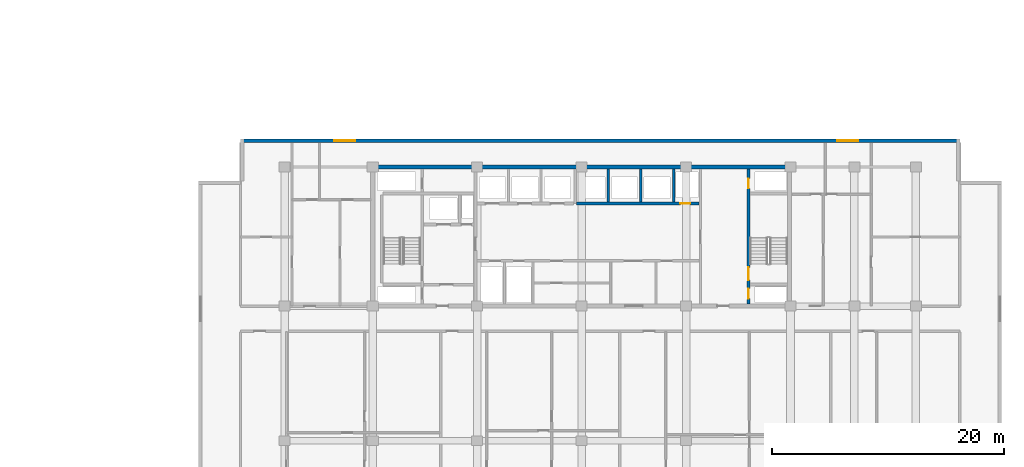
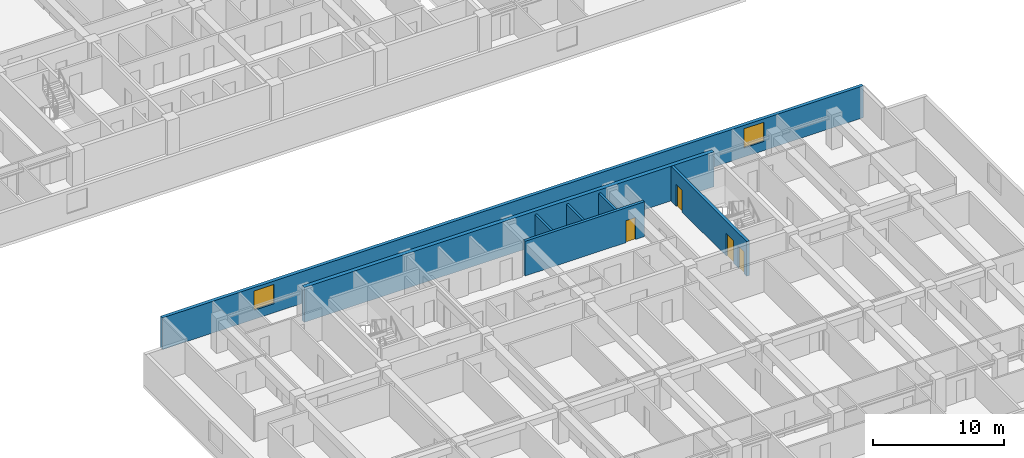
# One storey, part 7 of 23: 7 walls, 4 doors, 2 windows, 6 openings.
"""IFC4 building model written with IfcOpenShell, lengths in metres."""

from ifc_helpers import new_model, si_unit, direction, frame, frame_2d, origin, place, context, subcontext, project, spatial, rectangle, extrude, material, layer, layer_set, type_object, element, fill, save


model = new_model("IFC4")

# Units and contexts
model_context = context("Model", 3, precision=1e-05, world=origin(), true_north=direction((0.0, 1.0)))
body_context = subcontext(model_context, "Body", "Model", "MODEL_VIEW")
ifc_project = project(units=[si_unit("LENGTHUNIT", "METRE"), si_unit("AREAUNIT", "SQUARE_METRE"), si_unit("VOLUMEUNIT", "CUBIC_METRE"), si_unit("PLANEANGLEUNIT", "RADIAN"), si_unit("MASSUNIT", "GRAM", prefix="KILO")], contexts=[model_context])

# Site, building, storey
site_placement = place(None, origin())
site = spatial("IfcSite", under=ifc_project, at=site_placement, CompositionType="ELEMENT")
building_placement = place(site_placement, origin())
building = spatial("IfcBuilding", under=site, at=building_placement, Name="Korimba Cascade Residences", CompositionType="ELEMENT")
storey_placement = place(building_placement, frame((0.0, 0.0, 50.0)))
storey = spatial("IfcBuildingStorey", under=building, at=storey_placement, Name="L13", CompositionType="ELEMENT", Elevation=50.0)

# Wall, openings, windows
ifc_material_1 = material(Name="Precast concrete C40/50", Category="concrete")
ifc_layer_1 = layer(ifc_material_1, 0.300048828125)
ifc_layer_set_1 = layer_set([ifc_layer_1], Name="Precast concrete C40/50")
wall_type_1 = type_object("IfcWallType", Name="EW-STONE-300", PredefinedType="STANDARD", material=ifc_layer_set_1)
wall_1_placement = place(storey_placement, frame((132.699951171875, 32.64990234375, 0.0), z_axis=(0.0, 0.0, 1.0), x_axis=(-1.0, 0.0, 0.0)))
wall_1 = element("IfcWall", 1, at=wall_1_placement, inside=storey, type_object=wall_type_1, Name="L13 T2 Perimeter Stone Wall E06", PredefinedType="STANDARD", context=body_context, shape_type="SweptSolid", body=[
    extrude(rectangle(XDim=62.0, YDim=0.300048828125, at=frame_2d((31.0, 0.0))), origin(), (0.0, 0.0, 1.0), 2.969970703125),
])
opening_1_placement = place(wall_1_placement, frame((52.125, 0.0, 0.85009765625)))
opening_1 = element("IfcOpeningElement", 2, at=opening_1_placement, cuts=wall_1, Name="Opening W-02", PredefinedType="OPENING", context=body_context, shape_type="SweptSolid", body=[
    extrude(rectangle(XDim=1.800048828125, YDim=1.800048828125, at=frame_2d((0.89990234375, 0.89990234375))), frame((0.0, 0.16015625, 0.0), z_axis=(0.0, -1.0, 0.0), x_axis=(1.0, 0.0, 0.0)), (0.0, 0.0, 1.0), 0.320068359375),
])
opening_2_placement = place(wall_1_placement, frame((8.77490234375, 0.0, 0.85009765625)))
opening_2 = element("IfcOpeningElement", 3, at=opening_2_placement, cuts=wall_1, Name="Opening W-02", PredefinedType="OPENING", context=body_context, shape_type="SweptSolid", body=[
    extrude(rectangle(XDim=1.800048828125, YDim=1.800048828125, at=frame_2d((0.89990234375, 0.89990234375))), frame((0.0, 0.16015625, 0.0), z_axis=(0.0, -1.0, 0.0), x_axis=(1.0, 0.0, 0.0)), (0.0, 0.0, 1.0), 0.320068359375),
])
ifc_material_2 = material(Name="Double-Glazed Aluminium Window", Category="aluminium")
window_type = type_object("IfcWindowType", Name="WIN-BED-1800", PartitioningType="SINGLE_PANEL", PredefinedType="WINDOW", material=ifc_material_2)
window_1_placement = place(opening_1_placement, origin())
window_1 = element("IfcWindow", 4, at=window_1_placement, inside=storey, type_object=window_type, Name="L13 T2 North Corner Bedroom Window 1", OverallHeight=1.800048828125, OverallWidth=1.800048828125, PartitioningType="SINGLE_PANEL", PredefinedType="WINDOW", context=body_context, shape_type="SweptSolid", body=[
    extrude(rectangle(XDim=1.800048828125, YDim=1.800048828125, at=frame_2d((0.89990234375, 0.89990234375))), frame((0.0, 0.030029296875, 0.0), z_axis=(0.0, -1.0, 0.0), x_axis=(1.0, 0.0, 0.0)), (0.0, 0.0, 1.0), 0.06005859375),
])
fill(opening_1, window_1)
window_2_placement = place(opening_2_placement, origin())
window_2 = element("IfcWindow", 5, at=window_2_placement, inside=storey, type_object=window_type, Name="L13 T2 North Corner Bedroom Window 2", OverallHeight=1.800048828125, OverallWidth=1.800048828125, PartitioningType="SINGLE_PANEL", PredefinedType="WINDOW", context=body_context, shape_type="SweptSolid", body=[
    extrude(rectangle(XDim=1.800048828125, YDim=1.800048828125, at=frame_2d((0.89990234375, 0.89990234375))), frame((0.0, 0.030029296875, 0.0), z_axis=(0.0, -1.0, 0.0), x_axis=(1.0, 0.0, 0.0)), (0.0, 0.0, 1.0), 0.06005859375),
])
fill(opening_2, window_2)

# Walls
ifc_material_3 = material(Name="Concrete C65/80", Category="concrete")
ifc_layer_2 = layer(ifc_material_3, 0.35009765625)
ifc_layer_set_2 = layer_set([ifc_layer_2], Name="Concrete C65/80")
wall_type_2 = type_object("IfcWallType", Name="WAL-CORE-350", PredefinedType="SHEAR", material=ifc_layer_set_2)
wall_2_placement = place(storey_placement, frame((81.925048828125, 30.39990234375, 0.0), z_axis=(0.0, 0.0, 1.0), x_axis=(1.0, 0.0, 0.0)))
element("IfcWall", 6, at=wall_2_placement, inside=storey, type_object=wall_type_2, Name="L13 Core Shear Wall CW-L13-T2-N", PredefinedType="SHEAR", context=body_context, shape_type="SweptSolid", body=[
    extrude(rectangle(XDim=36.264892578125, YDim=0.35009765625, at=frame_2d((18.13232421875, 0.0))), origin(), (0.0, 0.0, 1.0), 3.25),
])
ifc_material_4 = material(Name="Concrete C40/50", Category="concrete")
ifc_layer_3 = layer(ifc_material_4, 0.199951171875)
ifc_layer_set_3 = layer_set([ifc_layer_3], Name="Concrete C40/50")
wall_type_3 = type_object("IfcWallType", Name="WAL-PART-200", PredefinedType="PARTITIONING", material=ifc_layer_set_3)
for number, where, z_axis, x_axis, name in (
    (7, (102.39990234375, 27.3798828125, 0.0), (0.0, 0.0, 1.0), (0.0, 1.0, 0.0), "L13 Partition Wall CW-L13-T2-B2D1"),
    (8, (105.199951171875, 27.3798828125, 0.0), (0.0, 0.0, 1.0), (0.0, 1.0, 0.0), "L13 Partition Wall CW-L13-T2-B2D2"),
    (9, (108.050048828125, 27.3798828125, 0.0), (0.0, 0.0, 1.0), (0.0, 1.0, 0.0), "L13 Partition Wall CW-L13-T2-B2D3"),
):
    element("IfcWall", number, at=place(storey_placement, frame(where, z_axis=z_axis, x_axis=x_axis)), inside=storey, type_object=wall_type_3, Name=name, PredefinedType="PARTITIONING", context=body_context, shape_type="SweptSolid", body=[
        extrude(rectangle(XDim=2.820068359375, YDim=0.199951171875, at=frame_2d((1.41015625, 0.0))), origin(), (0.0, 0.0, 1.0), 2.969970703125),
    ])

# Wall, opening, door
ifc_material_5 = material(Name="Concrete C50/60", Category="concrete")
ifc_layer_4 = layer(ifc_material_5, 0.25)
ifc_layer_set_4 = layer_set([ifc_layer_4], Name="Concrete C50/60")
wall_type_4 = type_object("IfcWallType", Name="WAL-SHAFT-250", PredefinedType="SHEAR", material=ifc_layer_set_4)
wall_3_placement = place(storey_placement, frame((99.679931640625, 27.25, 0.0), z_axis=(0.0, 0.0, 1.0), x_axis=(1.0, 0.0, 0.0)))
wall_3 = element("IfcWall", 10, at=wall_3_placement, inside=storey, type_object=wall_type_4, Name="L13 Core Shear Wall CW-L13-T2-B2S", PredefinedType="SHEAR", context=body_context, shape_type="SweptSolid", body=[
    extrude(rectangle(XDim=10.5400390625, YDim=0.25, at=frame_2d((5.27001953125, 0.0))), origin(), (0.0, 0.0, 1.0), 3.25),
])
opening_3_placement = place(wall_3_placement, frame((8.919921875, 0.0, 0.0)))
opening_3 = element("IfcOpeningElement", 11, at=opening_3_placement, cuts=wall_3, Name="Opening D-RS1", PredefinedType="OPENING", context=body_context, shape_type="SweptSolid", body=[
    extrude(rectangle(XDim=0.85009765625, YDim=2.050048828125, at=frame_2d((0.425048828125, 1.02490234375))), frame((0.0, 0.135009765625, 0.0), z_axis=(0.0, -1.0, 0.0), x_axis=(1.0, 0.0, 0.0)), (0.0, 0.0, 1.0), 0.27001953125),
])
ifc_material_6 = material(Name="Fire-Rated Steel Riser Access Door", Category="steel")
door_type_1 = type_object("IfcDoorType", Name="DR-FD60-850", OperationType="NOTDEFINED", PredefinedType="DOOR", material=ifc_material_6)
door_1_placement = place(opening_3_placement, origin())
door_1 = element("IfcDoor", 12, at=door_1_placement, inside=storey, type_object=door_type_1, Name="L13 T2 Duct Door", OperationType="SINGLE_SWING_RIGHT", OverallHeight=2.050048828125, OverallWidth=0.85009765625, PredefinedType="DOOR", context=body_context, shape_type="SweptSolid", body=[
    extrude(rectangle(XDim=0.85009765625, YDim=2.050048828125, at=frame_2d((0.425048828125, 1.02490234375))), frame((0.0, 0.02490234375, 0.0), z_axis=(0.0, -1.0, 0.0), x_axis=(1.0, 0.0, 0.0)), (0.0, 0.0, 1.0), 0.050048828125),
])
fill(opening_3, door_1)

# Wall, openings, doors
wall_4_placement = place(storey_placement, frame((114.47509765625, 18.60009765625, 0.0), z_axis=(0.0, 0.0, 1.0), x_axis=(0.0, 1.0, 0.0)))
wall_4 = element("IfcWall", 13, at=wall_4_placement, inside=storey, type_object=wall_type_4, Name="L13 Core Shear Wall CW-L13-T2-STE2W", PredefinedType="SHEAR", context=body_context, shape_type="SweptSolid", body=[
    extrude(rectangle(XDim=11.599853515625, YDim=0.25, at=frame_2d((5.7998046875, 0.0))), origin(), (0.0, 0.0, 1.0), 3.25),
])
opening_4_placement = place(wall_4_placement, frame((0.449951171875, 0.0, 0.0)))
opening_4 = element("IfcOpeningElement", 14, at=opening_4_placement, cuts=wall_4, Name="Opening D-RS1", PredefinedType="OPENING", context=body_context, shape_type="SweptSolid", body=[
    extrude(rectangle(XDim=0.85009765625, YDim=2.050048828125, at=frame_2d((0.425048828125, 1.02490234375))), frame((0.0, 0.135009765625, 0.0), z_axis=(0.0, -1.0, 0.0), x_axis=(1.0, 0.0, 0.0)), (0.0, 0.0, 1.0), 0.27001953125),
])
opening_5_placement = place(wall_4_placement, frame((2.050048828125, 0.0, 0.0)))
opening_5 = element("IfcOpeningElement", 15, at=opening_5_placement, cuts=wall_4, Name="Opening D-FD1", PredefinedType="OPENING", context=body_context, shape_type="SweptSolid", body=[
    extrude(rectangle(XDim=1.10009765625, YDim=2.10009765625, at=frame_2d((0.550048828125, 1.050048828125))), frame((0.0, 0.135009765625, 0.0), z_axis=(0.0, -1.0, 0.0), x_axis=(1.0, 0.0, 0.0)), (0.0, 0.0, 1.0), 0.27001953125),
])
opening_6_placement = place(wall_4_placement, frame((9.949951171875, 0.0, 0.0)))
opening_6 = element("IfcOpeningElement", 16, at=opening_6_placement, cuts=wall_4, Name="Opening D-RS1", PredefinedType="OPENING", context=body_context, shape_type="SweptSolid", body=[
    extrude(rectangle(XDim=0.85009765625, YDim=2.050048828125, at=frame_2d((0.425048828125, 1.02490234375))), frame((0.0, 0.135009765625, 0.0), z_axis=(0.0, -1.0, 0.0), x_axis=(1.0, 0.0, 0.0)), (0.0, 0.0, 1.0), 0.27001953125),
])
ifc_material_7 = material(Name="Fire-Rated Steel Core Door", Category="steel")
door_type_2 = type_object("IfcDoorType", Name="DR-FD120-1100", OperationType="NOTDEFINED", PredefinedType="DOOR", material=ifc_material_7)
door_2_placement = place(opening_5_placement, origin())
door_2 = element("IfcDoor", 17, at=door_2_placement, inside=storey, type_object=door_type_2, Name="L13 Fire Stair ST-E2 Door", OperationType="SINGLE_SWING_RIGHT", OverallHeight=2.10009765625, OverallWidth=1.10009765625, PredefinedType="DOOR", context=body_context, shape_type="SweptSolid", body=[
    extrude(rectangle(XDim=1.10009765625, YDim=2.10009765625, at=frame_2d((0.550048828125, 1.050048828125))), frame((0.0, 0.02490234375, 0.0), z_axis=(0.0, -1.0, 0.0), x_axis=(1.0, 0.0, 0.0)), (0.0, 0.0, 1.0), 0.050048828125),
])
fill(opening_5, door_2)
door_3_placement = place(opening_4_placement, origin())
door_3 = element("IfcDoor", 18, at=door_3_placement, inside=storey, type_object=door_type_1, Name="L13 T2 East Hydrant Door", OperationType="SINGLE_SWING_LEFT", OverallHeight=2.050048828125, OverallWidth=0.85009765625, PredefinedType="DOOR", context=body_context, shape_type="SweptSolid", body=[
    extrude(rectangle(XDim=0.85009765625, YDim=2.050048828125, at=frame_2d((0.425048828125, 1.02490234375))), frame((0.0, 0.02490234375, 0.0), z_axis=(0.0, -1.0, 0.0), x_axis=(1.0, 0.0, 0.0)), (0.0, 0.0, 1.0), 0.050048828125),
])
fill(opening_4, door_3)
door_4_placement = place(opening_6_placement, origin())
door_4 = element("IfcDoor", 19, at=door_4_placement, inside=storey, type_object=door_type_1, Name="L13 T2 East Riser Door", OperationType="SINGLE_SWING_LEFT", OverallHeight=2.050048828125, OverallWidth=0.85009765625, PredefinedType="DOOR", context=body_context, shape_type="SweptSolid", body=[
    extrude(rectangle(XDim=0.85009765625, YDim=2.050048828125, at=frame_2d((0.425048828125, 1.02490234375))), frame((0.0, 0.02490234375, 0.0), z_axis=(0.0, -1.0, 0.0), x_axis=(1.0, 0.0, 0.0)), (0.0, 0.0, 1.0), 0.050048828125),
])
fill(opening_6, door_4)

save(model, "model.ifc")
